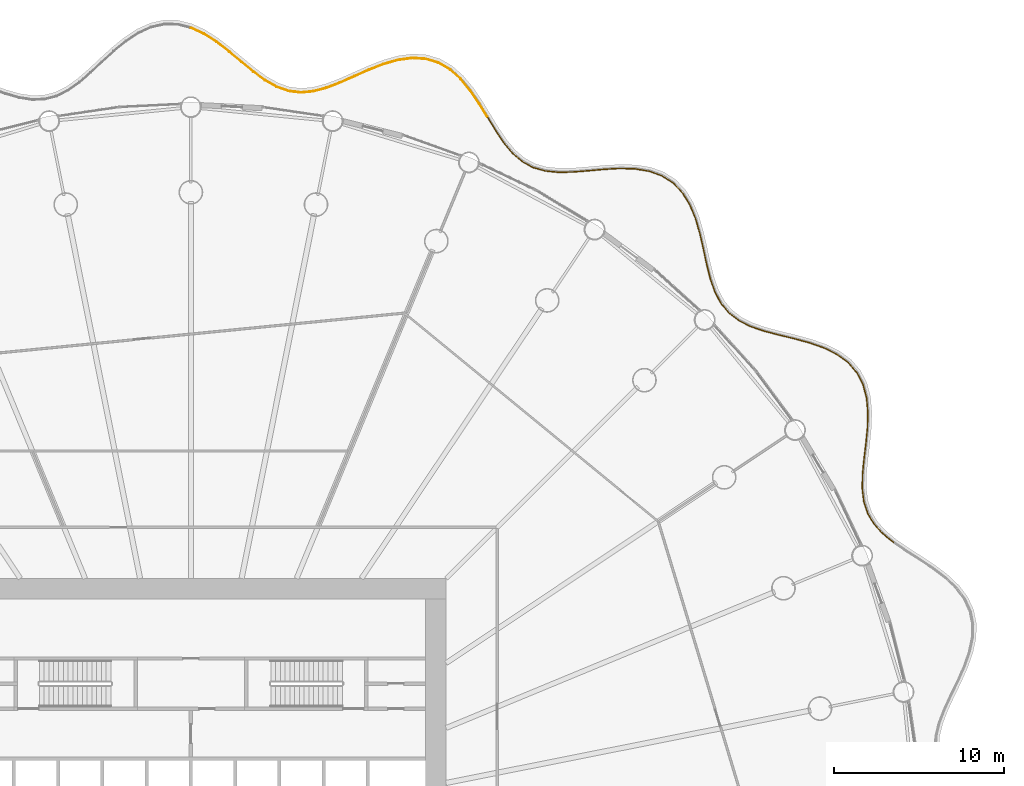
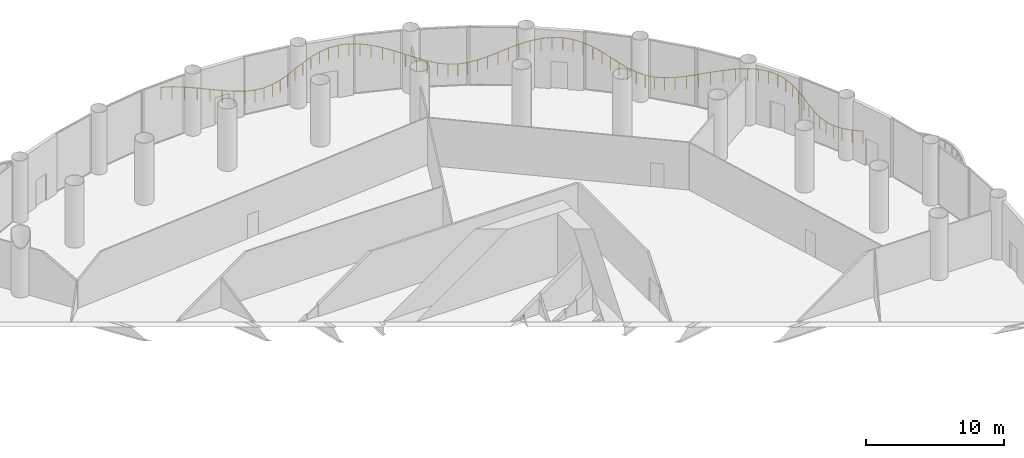
# One storey, part 37 of 37: 3 railings.
"""IFC4 building model written with IfcOpenShell, lengths in metres."""

from ifc_helpers import new_model, si_unit, direction, frame, origin, origin_2d, place, context, subcontext, project, spatial, circle, extrude, material, type_object, element, save


model = new_model("IFC4")

# Units and contexts
model_context = context("Model", 3, precision=1e-05, world=origin(), true_north=direction((0.0, 1.0)))
body_context = subcontext(model_context, "Body", "Model", "MODEL_VIEW")
ifc_project = project(units=[si_unit("LENGTHUNIT", "METRE"), si_unit("AREAUNIT", "SQUARE_METRE"), si_unit("VOLUMEUNIT", "CUBIC_METRE"), si_unit("PLANEANGLEUNIT", "RADIAN"), si_unit("MASSUNIT", "GRAM", prefix="KILO")], contexts=[model_context])

# Site, building, storey
site_placement = place(None, origin())
site = spatial("IfcSite", under=ifc_project, at=site_placement, CompositionType="ELEMENT")
building_placement = place(site_placement, origin())
building = spatial("IfcBuilding", under=site, at=building_placement, Name="Corvane Civic Tower", CompositionType="ELEMENT")
storey_placement = place(building_placement, frame((0.0, 0.0, 11.5)))
storey = spatial("IfcBuildingStorey", under=building, at=storey_placement, Name="L02", CompositionType="ELEMENT", Elevation=11.5)

# Railings
ifc_material = material(Name="Steel ASTM A572 Gr 50", Category="steel")
railing_type = type_object("IfcRailingType", Name="PODIUM-RL-GUARD-1100", PredefinedType="GUARDRAIL", material=ifc_material)
railing_1_placement = place(storey_placement, frame((41.291259765625, 17.127197265625, 0.0)))
element("IfcRailing", 1, at=railing_1_placement, inside=storey, type_object=railing_type, Name="L02 ribbon guard 14", PredefinedType="GUARDRAIL", context=body_context, shape_type="SweptSolid", body=[
    extrude(circle(Radius=0.02392578125, at=origin_2d()), frame((0.0, 0.0, 1.076171875), z_axis=(-0.774868960763, 0.632121897774, 0.0), x_axis=(-0.632121897774, -0.774868960763, 0.0)), (0.0, 0.0, 1.0), 0.798828125),
    extrude(circle(Radius=0.02392578125, at=origin_2d()), frame((-0.618896484375, 0.5048828125, 1.076171875), z_axis=(-0.674550053428, 0.738229114449, 0.0), x_axis=(-0.738229114449, -0.674550053428, 0.0)), (0.0, 0.0, 1.0), 0.762939453125),
    extrude(circle(Radius=0.02392578125, at=origin_2d()), frame((-1.133544921875, 1.068115234375, 1.076171875), z_axis=(-0.514594803967, 0.857433488809, 0.0), x_axis=(-0.857433488809, -0.514594803967, 0.0)), (0.0, 0.0, 1.0), 0.724853515625),
    extrude(circle(Radius=0.02392578125, at=origin_2d()), frame((-1.506591796875, 1.689697265625, 1.076171875), z_axis=(-0.313001886117, 0.949752504228, 0.0), x_axis=(-0.949752504228, -0.313001886117, 0.0)), (0.0, 0.0, 1.0), 0.72705078125),
    extrude(circle(Radius=0.02392578125, at=origin_2d()), frame((-1.734130859375, 2.380126953125, 1.076171875), z_axis=(-0.122901158581, 0.992418916194, 0.0), x_axis=(-0.992418916194, -0.122901158581, 0.0)), (0.0, 0.0, 1.0), 0.768798828125),
    extrude(circle(Radius=0.02392578125, at=origin_2d()), frame((-1.82861328125, 3.14306640625, 1.076171875), z_axis=(0.016174354489, 0.999869186572, 0.0), x_axis=(-0.999869186572, 0.016174354489, 0.0)), (0.0, 0.0, 1.0), 0.830078125),
    extrude(circle(Radius=0.02392578125, at=origin_2d()), frame((-1.815185546875, 3.97314453125, 1.076171875), z_axis=(0.095288563637, 0.995449692169, 0.0), x_axis=(-0.995449692169, 0.095288563637, 0.0)), (0.0, 0.0, 1.0), 0.88916015625),
    extrude(circle(Radius=0.02392578125, at=origin_2d()), frame((-1.73046875, 4.858154296875, 1.076171875), z_axis=(0.120693375254, 0.992689835331, 0.0), x_axis=(-0.992689835331, 0.120693375254, 0.0)), (0.0, 0.0, 1.0), 0.926513671875),
    extrude(circle(Radius=0.02392578125, at=origin_2d()), frame((-1.61865234375, 5.77783203125, 1.076171875), z_axis=(0.09883063936, 0.995104268267, 0.0), x_axis=(-0.995104268267, 0.09883063936, 0.0)), (0.0, 0.0, 1.0), 0.933837890625),
    extrude(circle(Radius=0.02392578125, at=origin_2d()), frame((-1.5263671875, 6.70703125, 1.076171875), z_axis=(0.030029369603, 0.999549016788, 0.0), x_axis=(-0.999549016788, 0.030029369603, 0.0)), (0.0, 0.0, 1.0), 0.91064453125),
    extrude(circle(Radius=0.02392578125, at=origin_2d()), frame((-1.4990234375, 7.6171875, 1.076171875), z_axis=(-0.087918482012, 0.996127672801, 0.0), x_axis=(-0.996127672801, -0.087918482012, 0.0)), (0.0, 0.0, 1.0), 0.866455078125),
    extrude(circle(Radius=0.02392578125, at=origin_2d()), frame((-1.5751953125, 8.480224609375, 1.076171875), z_axis=(-0.25593360182, 0.966694363002, 0.0), x_axis=(-0.966694363002, -0.25593360182, 0.0)), (0.0, 0.0, 1.0), 0.817626953125),
    extrude(circle(Radius=0.02392578125, at=origin_2d()), frame((-1.784423828125, 9.2705078125, 1.076171875), z_axis=(-0.457770141422, 0.889070580788, 0.0), x_axis=(-0.889070580788, -0.457770141422, 0.0)), (0.0, 0.0, 1.0), 0.783935546875),
    extrude(circle(Radius=0.02392578125, at=origin_2d()), frame((-2.143310546875, 9.967529296875, 1.076171875), z_axis=(-0.65371739994, 0.756738766693, 0.0), x_axis=(-0.756738766693, -0.65371739994, 0.0)), (0.0, 0.0, 1.0), 0.781982421875),
    extrude(circle(Radius=0.02392578125, at=origin_2d()), frame((-2.654541015625, 10.559326171875, 1.076171875), z_axis=(-0.803339019645, 0.59552197232, 0.0), x_axis=(-0.59552197232, -0.803339019645, 0.0)), (0.0, 0.0, 1.0), 0.81298828125),
    extrude(circle(Radius=0.02392578125, at=origin_2d()), frame((-3.3076171875, 11.04345703125, 1.076171875), z_axis=(-0.895163202273, 0.445738534677, 0.0), x_axis=(-0.445738534677, -0.895163202273, 0.0)), (0.0, 0.0, 1.0), 0.861083984375),
    extrude(circle(Radius=0.02392578125, at=origin_2d()), frame((-4.078369140625, 11.42724609375, 1.076171875), z_axis=(-0.943387294832, 0.331693249781, 0.0), x_axis=(-0.331693249781, -0.943387294832, 0.0)), (0.0, 0.0, 1.0), 0.90673828125),
    extrude(circle(Radius=0.02392578125, at=origin_2d()), frame((-4.933837890625, 11.72802734375, 1.076171875), z_axis=(-0.965281385945, 0.261212262249, 0.0), x_axis=(-0.261212262249, -0.965281385945, 0.0)), (0.0, 0.0, 1.0), 0.932861328125),
    extrude(circle(Radius=0.02392578125, at=origin_2d()), frame((-5.834228515625, 11.9716796875, 1.076171875), z_axis=(-0.97192484401, 0.235291516199, 0.0), x_axis=(-0.235291516199, -0.97192484401, 0.0)), (0.0, 0.0, 1.0), 0.9287109375),
    extrude(circle(Radius=0.02392578125, at=origin_2d()), frame((-6.73681640625, 12.190185546875, 1.076171875), z_axis=(-0.966996669681, 0.254789012373, 0.0), x_axis=(-0.254789012373, -0.966996669681, 0.0)), (0.0, 0.0, 1.0), 0.89404296875),
    extrude(circle(Radius=0.02392578125, at=origin_2d()), frame((-7.601318359375, 12.41796875, 1.076171875), z_axis=(-0.945666987633, 0.325136815051, 0.0), x_axis=(-0.325136815051, -0.945666987633, 0.0)), (0.0, 0.0, 1.0), 0.837158203125),
    extrude(circle(Radius=0.02392578125, at=origin_2d()), frame((-8.39306640625, 12.690185546875, 1.076171875), z_axis=(-0.894364132119, 0.447339691039, 0.0), x_axis=(-0.447339691039, -0.894364132119, 0.0)), (0.0, 0.0, 1.0), 0.7744140625),
    extrude(circle(Radius=0.02392578125, at=origin_2d()), frame((-9.085693359375, 13.03662109375, 1.076171875), z_axis=(-0.793654806349, 0.608368349241, 0.0), x_axis=(-0.608368349241, -0.793654806349, 0.0)), (0.0, 0.0, 1.0), 0.72998046875),
    extrude(circle(Radius=0.02392578125, at=origin_2d()), frame((-9.6650390625, 13.480712890625, 1.076171875), z_axis=(-0.640562840792, 0.767905753981, 0.0), x_axis=(-0.767905753981, -0.640562840792, 0.0)), (0.0, 0.0, 1.0), 0.69775390625),
    extrude(circle(Radius=0.02099609375, at=origin_2d()), origin(), (0.0, 0.0, 1.0), 1.052001953125),
    extrude(circle(Radius=0.02099609375, at=origin_2d()), frame((-0.618896484375, 0.5048828125, 0.0)), (0.0, 0.0, 1.0), 1.052001953125),
    extrude(circle(Radius=0.02099609375, at=origin_2d()), frame((-1.133544921875, 1.068115234375, 0.0)), (0.0, 0.0, 1.0), 1.052001953125),
    extrude(circle(Radius=0.02099609375, at=origin_2d()), frame((-1.506591796875, 1.689697265625, 0.0)), (0.0, 0.0, 1.0), 1.052001953125),
    extrude(circle(Radius=0.02099609375, at=origin_2d()), frame((-1.734130859375, 2.380126953125, 0.0)), (0.0, 0.0, 1.0), 1.052001953125),
    extrude(circle(Radius=0.02099609375, at=origin_2d()), frame((-1.82861328125, 3.14306640625, 0.0)), (0.0, 0.0, 1.0), 1.052001953125),
    extrude(circle(Radius=0.02099609375, at=origin_2d()), frame((-1.815185546875, 3.97314453125, 0.0)), (0.0, 0.0, 1.0), 1.052001953125),
    extrude(circle(Radius=0.02099609375, at=origin_2d()), frame((-1.73046875, 4.858154296875, 0.0)), (0.0, 0.0, 1.0), 1.052001953125),
    extrude(circle(Radius=0.02099609375, at=origin_2d()), frame((-1.61865234375, 5.77783203125, 0.0)), (0.0, 0.0, 1.0), 1.052001953125),
    extrude(circle(Radius=0.02099609375, at=origin_2d()), frame((-1.5263671875, 6.70703125, 0.0)), (0.0, 0.0, 1.0), 1.052001953125),
    extrude(circle(Radius=0.02099609375, at=origin_2d()), frame((-1.4990234375, 7.6171875, 0.0)), (0.0, 0.0, 1.0), 1.052001953125),
    extrude(circle(Radius=0.02099609375, at=origin_2d()), frame((-1.5751953125, 8.480224609375, 0.0)), (0.0, 0.0, 1.0), 1.052001953125),
    extrude(circle(Radius=0.02099609375, at=origin_2d()), frame((-1.784423828125, 9.2705078125, 0.0)), (0.0, 0.0, 1.0), 1.052001953125),
    extrude(circle(Radius=0.02099609375, at=origin_2d()), frame((-2.143310546875, 9.967529296875, 0.0)), (0.0, 0.0, 1.0), 1.052001953125),
    extrude(circle(Radius=0.02099609375, at=origin_2d()), frame((-2.654541015625, 10.559326171875, 0.0)), (0.0, 0.0, 1.0), 1.052001953125),
    extrude(circle(Radius=0.02099609375, at=origin_2d()), frame((-3.3076171875, 11.04345703125, 0.0)), (0.0, 0.0, 1.0), 1.052001953125),
    extrude(circle(Radius=0.02099609375, at=origin_2d()), frame((-4.078369140625, 11.42724609375, 0.0)), (0.0, 0.0, 1.0), 1.052001953125),
    extrude(circle(Radius=0.02099609375, at=origin_2d()), frame((-4.933837890625, 11.72802734375, 0.0)), (0.0, 0.0, 1.0), 1.052001953125),
    extrude(circle(Radius=0.02099609375, at=origin_2d()), frame((-5.834228515625, 11.9716796875, 0.0)), (0.0, 0.0, 1.0), 1.052001953125),
    extrude(circle(Radius=0.02099609375, at=origin_2d()), frame((-6.73681640625, 12.190185546875, 0.0)), (0.0, 0.0, 1.0), 1.052001953125),
    extrude(circle(Radius=0.02099609375, at=origin_2d()), frame((-7.601318359375, 12.41796875, 0.0)), (0.0, 0.0, 1.0), 1.052001953125),
    extrude(circle(Radius=0.02099609375, at=origin_2d()), frame((-8.39306640625, 12.690185546875, 0.0)), (0.0, 0.0, 1.0), 1.052001953125),
    extrude(circle(Radius=0.02099609375, at=origin_2d()), frame((-9.085693359375, 13.03662109375, 0.0)), (0.0, 0.0, 1.0), 1.052001953125),
    extrude(circle(Radius=0.02099609375, at=origin_2d()), frame((-9.6650390625, 13.480712890625, 0.0)), (0.0, 0.0, 1.0), 1.052001953125),
    extrude(circle(Radius=0.02099609375, at=origin_2d()), frame((-10.112060546875, 14.0166015625, 0.0)), (0.0, 0.0, 1.0), 1.052001953125),
])
railing_2_placement = place(storey_placement, frame((31.1513671875, 31.18505859375, 0.0)))
element("IfcRailing", 2, at=railing_2_placement, inside=storey, type_object=railing_type, Name="L02 ribbon guard 15", PredefinedType="GUARDRAIL", context=body_context, shape_type="SweptSolid", body=[
    extrude(circle(Radius=0.02392578125, at=origin_2d()), frame((0.0, 0.0, 1.076171875), z_axis=(-0.471314690588, 0.88196511407, 0.0), x_axis=(-0.88196511407, -0.471314690588, 0.0)), (0.0, 0.0, 1.0), 0.732421875),
    extrude(circle(Radius=0.02392578125, at=origin_2d()), frame((-0.34521484375, 0.64599609375, 1.076171875), z_axis=(-0.332319844026, 0.94316675157, 0.0), x_axis=(-0.94316675157, -0.332319844026, 0.0)), (0.0, 0.0, 1.0), 0.81689453125),
    extrude(circle(Radius=0.02392578125, at=origin_2d()), frame((-0.61669921875, 1.41650390625, 1.076171875), z_axis=(-0.244694089906, 0.969600331253, 0.0), x_axis=(-0.969600331253, -0.244694089906, 0.0)), (0.0, 0.0, 1.0), 0.8779296875),
    extrude(circle(Radius=0.02392578125, at=origin_2d()), frame((-0.83154296875, 2.267822265625, 1.076171875), z_axis=(-0.20945666103, 0.977817931493, 0.0), x_axis=(-0.977817931493, -0.20945666103, 0.0)), (0.0, 0.0, 1.0), 0.9208984375),
    extrude(circle(Radius=0.02392578125, at=origin_2d()), frame((-1.0244140625, 3.168212890625, 1.076171875), z_axis=(-0.221463071094, 0.975168758801, 0.0), x_axis=(-0.975168758801, -0.221463071094, 0.0)), (0.0, 0.0, 1.0), 0.934814453125),
    extrude(circle(Radius=0.02392578125, at=origin_2d()), frame((-1.2314453125, 4.079833984375, 1.076171875), z_axis=(-0.278232456959, 0.960513768717, 0.0), x_axis=(-0.960513768717, -0.278232456959, 0.0)), (0.0, 0.0, 1.0), 0.917724609375),
    extrude(circle(Radius=0.02392578125, at=origin_2d()), frame((-1.48681640625, 4.96142578125, 1.076171875), z_axis=(-0.379825245493, 0.925058259185, 0.0), x_axis=(-0.925058259185, -0.379825245493, 0.0)), (0.0, 0.0, 1.0), 0.876708984375),
    extrude(circle(Radius=0.02392578125, at=origin_2d()), frame((-1.81982421875, 5.7724609375, 1.076171875), z_axis=(-0.522202059576, 0.852821792038, 0.0), x_axis=(-0.852821792038, -0.522202059576, 0.0)), (0.0, 0.0, 1.0), 0.8271484375),
    extrude(circle(Radius=0.02392578125, at=origin_2d()), frame((-2.251708984375, 6.477783203125, 1.076171875), z_axis=(-0.687177777686, 0.726489299202, 0.0), x_axis=(-0.726489299202, -0.687177777686, 0.0)), (0.0, 0.0, 1.0), 0.788818359375),
    extrude(circle(Radius=0.02392578125, at=origin_2d()), frame((-2.793701171875, 7.05078125, 1.076171875), z_axis=(-0.837928150466, 0.545780555404, 0.0), x_axis=(-0.545780555404, -0.837928150466, 0.0)), (0.0, 0.0, 1.0), 0.77978515625),
    extrude(circle(Radius=0.02392578125, at=origin_2d()), frame((-3.447021484375, 7.476318359375, 1.076171875), z_axis=(-0.939180191042, 0.343424764329, 0.0), x_axis=(-0.343424764329, -0.939180191042, 0.0)), (0.0, 0.0, 1.0), 0.803955078125),
    extrude(circle(Radius=0.02392578125, at=origin_2d()), frame((-4.2021484375, 7.75244140625, 1.076171875), z_axis=(-0.986571775873, 0.163328292253, 0.0), x_axis=(-0.163328292253, -0.986571775873, 0.0)), (0.0, 0.0, 1.0), 0.8505859375),
    extrude(circle(Radius=0.02392578125, at=origin_2d()), frame((-5.041259765625, 7.891357421875, 1.076171875), z_axis=(-0.999577328884, 0.029071697252, 0.0), x_axis=(-0.029071697252, -0.999577328884, 0.0)), (0.0, 0.0, 1.0), 0.898681640625),
    extrude(circle(Radius=0.02392578125, at=origin_2d()), frame((-5.939453125, 7.91748046875, 1.076171875), z_axis=(-0.998506081569, -0.054640690599, 0.0), x_axis=(0.054640690599, -0.998506081569, 0.0)), (0.0, 0.0, 1.0), 0.929443359375),
    extrude(circle(Radius=0.02392578125, at=origin_2d()), frame((-6.867431640625, 7.86669921875, 1.076171875), z_axis=(-0.995813388911, -0.09140948783, 0.0), x_axis=(0.09140948783, -0.995813388911, 0.0)), (0.0, 0.0, 1.0), 0.93212890625),
    extrude(circle(Radius=0.02392578125, at=origin_2d()), frame((-7.795654296875, 7.781494140625, 1.076171875), z_axis=(-0.996709608451, -0.081055267697, 0.0), x_axis=(0.081055267697, -0.996709608451, 0.0)), (0.0, 0.0, 1.0), 0.903564453125),
    extrude(circle(Radius=0.02392578125, at=origin_2d()), frame((-8.6962890625, 7.708251953125, 1.076171875), z_axis=(-0.999797988108, -0.020099327733, 0.0), x_axis=(0.020099327733, -0.999797988108, 0.0)), (0.0, 0.0, 1.0), 0.850341796875),
    extrude(circle(Radius=0.02392578125, at=origin_2d()), frame((-9.54638671875, 7.691162109375, 1.076171875), z_axis=(-0.99500027102, 0.099872221717, 0.0), x_axis=(-0.099872221717, -0.99500027102, 0.0)), (0.0, 0.0, 1.0), 0.787109375),
    extrude(circle(Radius=0.02392578125, at=origin_2d()), frame((-10.32958984375, 7.769775390625, 1.076171875), z_axis=(-0.961135284274, 0.276077824759, 0.0), x_axis=(-0.276077824759, -0.961135284274, 0.0)), (0.0, 0.0, 1.0), 0.736572265625),
    extrude(circle(Radius=0.02392578125, at=origin_2d()), frame((-11.03759765625, 7.97314453125, 1.076171875), z_axis=(-0.878593615519, 0.477570161096, 0.0), x_axis=(-0.477570161096, -0.878593615519, 0.0)), (0.0, 0.0, 1.0), 0.720703125),
    extrude(circle(Radius=0.02392578125, at=origin_2d()), frame((-11.6708984375, 8.3173828125, 1.076171875), z_axis=(-0.758495167123, 0.651678664259, 0.0), x_axis=(-0.651678664259, -0.758495167123, 0.0)), (0.0, 0.0, 1.0), 0.747314453125),
    extrude(circle(Radius=0.02392578125, at=origin_2d()), frame((-12.23779296875, 8.804443359375, 1.076171875), z_axis=(-0.641408912395, 0.767199196493, 0.0), x_axis=(-0.767199196493, -0.641408912395, 0.0)), (0.0, 0.0, 1.0), 0.803466796875),
    extrude(circle(Radius=0.02392578125, at=origin_2d()), frame((-12.753173828125, 9.4208984375, 1.076171875), z_axis=(-0.558339046952, 0.829612866733, 0.0), x_axis=(-0.829612866733, -0.558339046952, 0.0)), (0.0, 0.0, 1.0), 0.86572265625),
    extrude(circle(Radius=0.02392578125, at=origin_2d()), frame((-13.236572265625, 10.13916015625, 1.076171875), z_axis=(-0.518326053625, 0.855183081061, 0.0), x_axis=(-0.855183081061, -0.518326053625, 0.0)), (0.0, 0.0, 1.0), 0.88916015625),
    extrude(circle(Radius=0.02099609375, at=origin_2d()), origin(), (0.0, 0.0, 1.0), 1.052001953125),
    extrude(circle(Radius=0.02099609375, at=origin_2d()), frame((-0.34521484375, 0.64599609375, 0.0)), (0.0, 0.0, 1.0), 1.052001953125),
    extrude(circle(Radius=0.02099609375, at=origin_2d()), frame((-0.61669921875, 1.41650390625, 0.0)), (0.0, 0.0, 1.0), 1.052001953125),
    extrude(circle(Radius=0.02099609375, at=origin_2d()), frame((-0.83154296875, 2.267822265625, 0.0)), (0.0, 0.0, 1.0), 1.052001953125),
    extrude(circle(Radius=0.02099609375, at=origin_2d()), frame((-1.0244140625, 3.168212890625, 0.0)), (0.0, 0.0, 1.0), 1.052001953125),
    extrude(circle(Radius=0.02099609375, at=origin_2d()), frame((-1.2314453125, 4.079833984375, 0.0)), (0.0, 0.0, 1.0), 1.052001953125),
    extrude(circle(Radius=0.02099609375, at=origin_2d()), frame((-1.48681640625, 4.96142578125, 0.0)), (0.0, 0.0, 1.0), 1.052001953125),
    extrude(circle(Radius=0.02099609375, at=origin_2d()), frame((-1.81982421875, 5.7724609375, 0.0)), (0.0, 0.0, 1.0), 1.052001953125),
    extrude(circle(Radius=0.02099609375, at=origin_2d()), frame((-2.251708984375, 6.477783203125, 0.0)), (0.0, 0.0, 1.0), 1.052001953125),
    extrude(circle(Radius=0.02099609375, at=origin_2d()), frame((-2.793701171875, 7.05078125, 0.0)), (0.0, 0.0, 1.0), 1.052001953125),
    extrude(circle(Radius=0.02099609375, at=origin_2d()), frame((-3.447021484375, 7.476318359375, 0.0)), (0.0, 0.0, 1.0), 1.052001953125),
    extrude(circle(Radius=0.02099609375, at=origin_2d()), frame((-4.2021484375, 7.75244140625, 0.0)), (0.0, 0.0, 1.0), 1.052001953125),
    extrude(circle(Radius=0.02099609375, at=origin_2d()), frame((-5.041259765625, 7.891357421875, 0.0)), (0.0, 0.0, 1.0), 1.052001953125),
    extrude(circle(Radius=0.02099609375, at=origin_2d()), frame((-5.939453125, 7.91748046875, 0.0)), (0.0, 0.0, 1.0), 1.052001953125),
    extrude(circle(Radius=0.02099609375, at=origin_2d()), frame((-6.867431640625, 7.86669921875, 0.0)), (0.0, 0.0, 1.0), 1.052001953125),
    extrude(circle(Radius=0.02099609375, at=origin_2d()), frame((-7.795654296875, 7.781494140625, 0.0)), (0.0, 0.0, 1.0), 1.052001953125),
    extrude(circle(Radius=0.02099609375, at=origin_2d()), frame((-8.6962890625, 7.708251953125, 0.0)), (0.0, 0.0, 1.0), 1.052001953125),
    extrude(circle(Radius=0.02099609375, at=origin_2d()), frame((-9.54638671875, 7.691162109375, 0.0)), (0.0, 0.0, 1.0), 1.052001953125),
    extrude(circle(Radius=0.02099609375, at=origin_2d()), frame((-10.32958984375, 7.769775390625, 0.0)), (0.0, 0.0, 1.0), 1.052001953125),
    extrude(circle(Radius=0.02099609375, at=origin_2d()), frame((-11.03759765625, 7.97314453125, 0.0)), (0.0, 0.0, 1.0), 1.052001953125),
    extrude(circle(Radius=0.02099609375, at=origin_2d()), frame((-11.6708984375, 8.3173828125, 0.0)), (0.0, 0.0, 1.0), 1.052001953125),
    extrude(circle(Radius=0.02099609375, at=origin_2d()), frame((-12.23779296875, 8.804443359375, 0.0)), (0.0, 0.0, 1.0), 1.052001953125),
    extrude(circle(Radius=0.02099609375, at=origin_2d()), frame((-12.753173828125, 9.4208984375, 0.0)), (0.0, 0.0, 1.0), 1.052001953125),
    extrude(circle(Radius=0.02099609375, at=origin_2d()), frame((-13.236572265625, 10.13916015625, 0.0)), (0.0, 0.0, 1.0), 1.052001953125),
    extrude(circle(Radius=0.02099609375, at=origin_2d()), frame((-13.697509765625, 10.899658203125, 0.0)), (0.0, 0.0, 1.0), 1.052001953125),
])
railing_3_placement = place(storey_placement, frame((17.427978515625, 42.127197265625, 0.0)))
element("IfcRailing", 3, at=railing_3_placement, inside=storey, type_object=railing_type, Name="L02 ribbon guard 16", PredefinedType="GUARDRAIL", context=body_context, shape_type="SweptSolid", body=[
    extrude(circle(Radius=0.02392578125, at=origin_2d()), frame((0.0, 0.0, 1.076171875), z_axis=(-0.520679001191, 0.853752527211, 0.0), x_axis=(-0.853752527211, -0.520679001191, 0.0)), (0.0, 0.0, 1.0), 0.90966796875),
    extrude(circle(Radius=0.02392578125, at=origin_2d()), frame((-0.4736328125, 0.776611328125, 1.076171875), z_axis=(-0.561695319823, 0.827344165199, 0.0), x_axis=(-0.827344165199, -0.561695319823, 0.0)), (0.0, 0.0, 1.0), 0.923583984375),
    extrude(circle(Radius=0.02392578125, at=origin_2d()), frame((-0.992431640625, 1.540771484375, 1.076171875), z_axis=(-0.639290308686, 0.76896547466, 0.0), x_axis=(-0.76896547466, -0.639290308686, 0.0)), (0.0, 0.0, 1.0), 0.88671875),
    extrude(circle(Radius=0.02392578125, at=origin_2d()), frame((-1.559326171875, 2.22265625, 1.076171875), z_axis=(-0.74592731357, 0.66602735895, 0.0), x_axis=(-0.66602735895, -0.74592731357, 0.0)), (0.0, 0.0, 1.0), 0.837158203125),
    extrude(circle(Radius=0.02392578125, at=origin_2d()), frame((-2.183837890625, 2.7802734375, 1.076171875), z_axis=(-0.862998140135, 0.505207096271, 0.0), x_axis=(-0.505207096271, -0.862998140135, 0.0)), (0.0, 0.0, 1.0), 0.794921875),
    extrude(circle(Radius=0.02392578125, at=origin_2d()), frame((-2.869873046875, 3.181884765625, 1.076171875), z_axis=(-0.956259035842, 0.292521206702, 0.0), x_axis=(-0.292521206702, -0.956259035842, 0.0)), (0.0, 0.0, 1.0), 0.77880859375),
    extrude(circle(Radius=0.02392578125, at=origin_2d()), frame((-3.614501953125, 3.40966796875, 1.076171875), z_axis=(-0.99788702308, 0.064972987989, 0.0), x_axis=(-0.064972987989, -0.99788702308, 0.0)), (0.0, 0.0, 1.0), 0.796630859375),
    extrude(circle(Radius=0.02392578125, at=origin_2d()), frame((-4.409423828125, 3.46142578125, 1.076171875), z_axis=(-0.991366996164, -0.131116280138, 0.0), x_axis=(0.131116280138, -0.991366996164, 0.0)), (0.0, 0.0, 1.0), 0.83984375),
    extrude(circle(Radius=0.02392578125, at=origin_2d()), frame((-5.241943359375, 3.351318359375, 1.076171875), z_axis=(-0.961730877869, -0.273995836744, 0.0), x_axis=(0.273995836744, -0.961730877869, 0.0)), (0.0, 0.0, 1.0), 0.88916015625),
    extrude(circle(Radius=0.02392578125, at=origin_2d()), frame((-6.09716796875, 3.107666015625, 1.076171875), z_axis=(-0.931717084753, -0.363184903292, 0.0), x_axis=(0.363184903292, -0.931717084753, 0.0)), (0.0, 0.0, 1.0), 0.925048828125),
    extrude(circle(Radius=0.02392578125, at=origin_2d()), frame((-6.958984375, 2.771728515625, 1.076171875), z_axis=(-0.913736108534, -0.406308163789, 0.0), x_axis=(0.406308163789, -0.913736108534, 0.0)), (0.0, 0.0, 1.0), 0.934326171875),
    extrude(circle(Radius=0.02392578125, at=origin_2d()), frame((-7.812744140625, 2.39208984375, 1.076171875), z_axis=(-0.913844660096, -0.406063957049, 0.0), x_axis=(0.406063957049, -0.913844660096, 0.0)), (0.0, 0.0, 1.0), 0.912109375),
    extrude(circle(Radius=0.02392578125, at=origin_2d()), frame((-8.646240234375, 2.021728515625, 1.076171875), z_axis=(-0.933009799905, -0.359850959818, 0.0), x_axis=(0.359850959818, -0.933009799905, 0.0)), (0.0, 0.0, 1.0), 0.863037109375),
    extrude(circle(Radius=0.02392578125, at=origin_2d()), frame((-9.451416015625, 1.711181640625, 1.076171875), z_axis=(-0.96610313067, -0.25815642721, 0.0), x_axis=(0.25815642721, -0.96610313067, 0.0)), (0.0, 0.0, 1.0), 0.800048828125),
    extrude(circle(Radius=0.02392578125, at=origin_2d()), frame((-10.224365234375, 1.504638671875, 1.076171875), z_axis=(-0.995658937757, -0.093076740725, 0.0), x_axis=(0.093076740725, -0.995658937757, 0.0)), (0.0, 0.0, 1.0), 0.744873046875),
    extrude(circle(Radius=0.02392578125, at=origin_2d()), frame((-10.966064453125, 1.435302734375, 1.076171875), z_axis=(-0.992820610222, 0.119612858501, 0.0), x_axis=(-0.119612858501, -0.992820610222, 0.0)), (0.0, 0.0, 1.0), 0.720458984375),
    extrude(circle(Radius=0.02392578125, at=origin_2d()), frame((-11.681396484375, 1.521484375, 1.076171875), z_axis=(-0.94357461907, 0.331159988899, 0.0), x_axis=(-0.331159988899, -0.94357461907, 0.0)), (0.0, 0.0, 1.0), 0.73876953125),
    extrude(circle(Radius=0.02392578125, at=origin_2d()), frame((-12.37841796875, 1.76611328125, 1.076171875), z_axis=(-0.870741119423, 0.491741703484, 0.0), x_axis=(-0.491741703484, -0.870741119423, 0.0)), (0.0, 0.0, 1.0), 0.790283203125),
    extrude(circle(Radius=0.02392578125, at=origin_2d()), frame((-13.066650390625, 2.15478515625, 1.076171875), z_axis=(-0.807522128628, 0.589837275675, 0.0), x_axis=(-0.589837275675, -0.807522128628, 0.0)), (0.0, 0.0, 1.0), 0.853515625),
    extrude(circle(Radius=0.02392578125, at=origin_2d()), frame((-13.755859375, 2.658203125, 1.076171875), z_axis=(-0.771634514187, 0.636066173064, 0.0), x_axis=(-0.636066173064, -0.771634514187, 0.0)), (0.0, 0.0, 1.0), 0.90576171875),
    extrude(circle(Radius=0.02392578125, at=origin_2d()), frame((-14.454833984375, 3.234375, 1.076171875), z_axis=(-0.766889482405, 0.641779184593, 0.0), x_axis=(-0.641779184593, -0.766889482405, 0.0)), (0.0, 0.0, 1.0), 0.932861328125),
    extrude(circle(Radius=0.02392578125, at=origin_2d()), frame((-15.170166015625, 3.8330078125, 1.076171875), z_axis=(-0.791302351532, 0.611425047295, 0.0), x_axis=(-0.611425047295, -0.791302351532, 0.0)), (0.0, 0.0, 1.0), 0.928466796875),
    extrude(circle(Radius=0.02392578125, at=origin_2d()), frame((-15.90478515625, 4.400634765625, 1.076171875), z_axis=(-0.841196176534, 0.540730055188, 0.0), x_axis=(-0.540730055188, -0.841196176534, 0.0)), (0.0, 0.0, 1.0), 0.896240234375),
    extrude(circle(Radius=0.02392578125, at=origin_2d()), frame((-16.65869140625, 4.88525390625, 1.076171875), z_axis=(-0.907324409664, 0.420431225799, 0.0), x_axis=(-0.420431225799, -0.907324409664, 0.0)), (0.0, 0.0, 1.0), 0.82275390625),
    extrude(circle(Radius=0.02099609375, at=origin_2d()), origin(), (0.0, 0.0, 1.0), 1.052001953125),
    extrude(circle(Radius=0.02099609375, at=origin_2d()), frame((-0.4736328125, 0.776611328125, 0.0)), (0.0, 0.0, 1.0), 1.052001953125),
    extrude(circle(Radius=0.02099609375, at=origin_2d()), frame((-0.992431640625, 1.540771484375, 0.0)), (0.0, 0.0, 1.0), 1.052001953125),
    extrude(circle(Radius=0.02099609375, at=origin_2d()), frame((-1.559326171875, 2.22265625, 0.0)), (0.0, 0.0, 1.0), 1.052001953125),
    extrude(circle(Radius=0.02099609375, at=origin_2d()), frame((-2.183837890625, 2.7802734375, 0.0)), (0.0, 0.0, 1.0), 1.052001953125),
    extrude(circle(Radius=0.02099609375, at=origin_2d()), frame((-2.869873046875, 3.181884765625, 0.0)), (0.0, 0.0, 1.0), 1.052001953125),
    extrude(circle(Radius=0.02099609375, at=origin_2d()), frame((-3.614501953125, 3.40966796875, 0.0)), (0.0, 0.0, 1.0), 1.052001953125),
    extrude(circle(Radius=0.02099609375, at=origin_2d()), frame((-4.409423828125, 3.46142578125, 0.0)), (0.0, 0.0, 1.0), 1.052001953125),
    extrude(circle(Radius=0.02099609375, at=origin_2d()), frame((-5.241943359375, 3.351318359375, 0.0)), (0.0, 0.0, 1.0), 1.052001953125),
    extrude(circle(Radius=0.02099609375, at=origin_2d()), frame((-6.09716796875, 3.107666015625, 0.0)), (0.0, 0.0, 1.0), 1.052001953125),
    extrude(circle(Radius=0.02099609375, at=origin_2d()), frame((-6.958984375, 2.771728515625, 0.0)), (0.0, 0.0, 1.0), 1.052001953125),
    extrude(circle(Radius=0.02099609375, at=origin_2d()), frame((-7.812744140625, 2.39208984375, 0.0)), (0.0, 0.0, 1.0), 1.052001953125),
    extrude(circle(Radius=0.02099609375, at=origin_2d()), frame((-8.646240234375, 2.021728515625, 0.0)), (0.0, 0.0, 1.0), 1.052001953125),
    extrude(circle(Radius=0.02099609375, at=origin_2d()), frame((-9.451416015625, 1.711181640625, 0.0)), (0.0, 0.0, 1.0), 1.052001953125),
    extrude(circle(Radius=0.02099609375, at=origin_2d()), frame((-10.224365234375, 1.504638671875, 0.0)), (0.0, 0.0, 1.0), 1.052001953125),
    extrude(circle(Radius=0.02099609375, at=origin_2d()), frame((-10.966064453125, 1.435302734375, 0.0)), (0.0, 0.0, 1.0), 1.052001953125),
    extrude(circle(Radius=0.02099609375, at=origin_2d()), frame((-11.681396484375, 1.521484375, 0.0)), (0.0, 0.0, 1.0), 1.052001953125),
    extrude(circle(Radius=0.02099609375, at=origin_2d()), frame((-12.37841796875, 1.76611328125, 0.0)), (0.0, 0.0, 1.0), 1.052001953125),
    extrude(circle(Radius=0.02099609375, at=origin_2d()), frame((-13.066650390625, 2.15478515625, 0.0)), (0.0, 0.0, 1.0), 1.052001953125),
    extrude(circle(Radius=0.02099609375, at=origin_2d()), frame((-13.755859375, 2.658203125, 0.0)), (0.0, 0.0, 1.0), 1.052001953125),
    extrude(circle(Radius=0.02099609375, at=origin_2d()), frame((-14.454833984375, 3.234375, 0.0)), (0.0, 0.0, 1.0), 1.052001953125),
    extrude(circle(Radius=0.02099609375, at=origin_2d()), frame((-15.170166015625, 3.8330078125, 0.0)), (0.0, 0.0, 1.0), 1.052001953125),
    extrude(circle(Radius=0.02099609375, at=origin_2d()), frame((-15.90478515625, 4.400634765625, 0.0)), (0.0, 0.0, 1.0), 1.052001953125),
    extrude(circle(Radius=0.02099609375, at=origin_2d()), frame((-16.65869140625, 4.88525390625, 0.0)), (0.0, 0.0, 1.0), 1.052001953125),
    extrude(circle(Radius=0.02099609375, at=origin_2d()), frame((-17.4052734375, 5.231201171875, 0.0)), (0.0, 0.0, 1.0), 1.052001953125),
])

save(model, "model.ifc")
